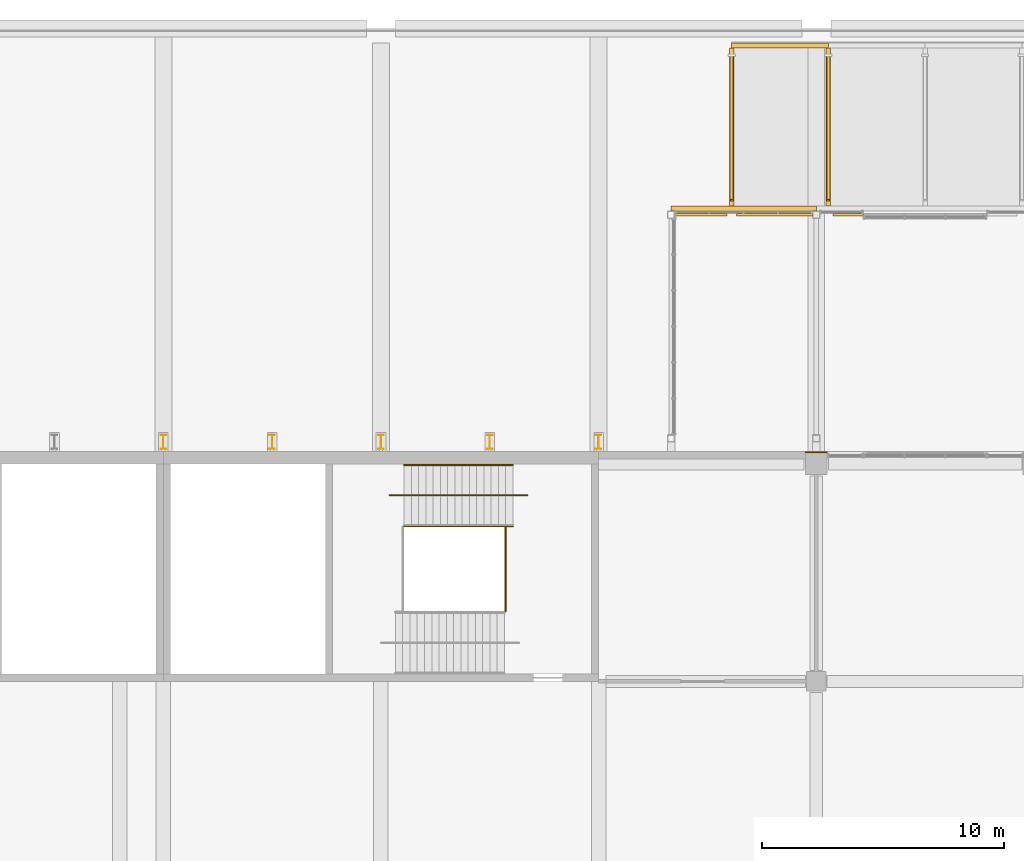
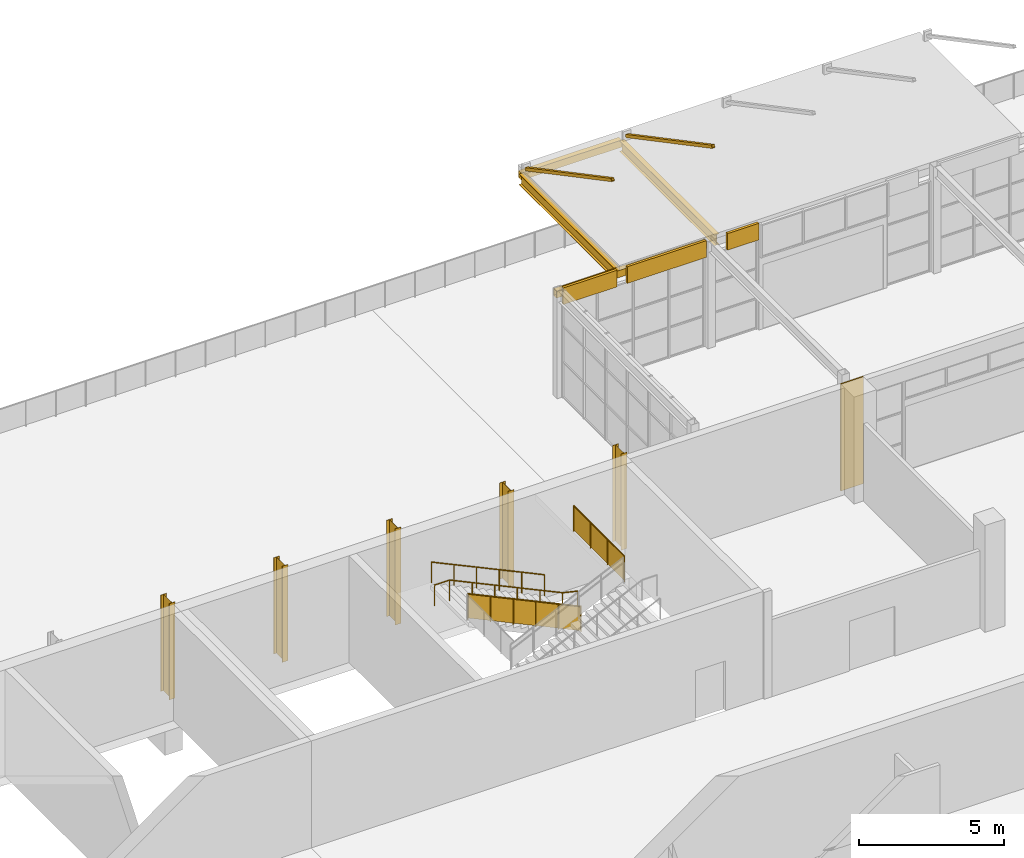
# One storey, part 162 of 168: 11 shading devices, 4 coverings, 4 railings.
"""IFC4 building model written with IfcOpenShell, lengths in metres."""

from ifc_helpers import new_model, si_unit, direction, frame, origin, origin_2d, place, context, subcontext, project, spatial, polyline, hollow_rectangle, circle, i_section, outline, extrude, material, layer, layer_set, material_profile, profile_set, type_object, element, save


model = new_model("IFC4")

# Units and contexts
model_context = context("Model", 3, precision=1e-05, world=origin(), true_north=direction((0.0, 1.0)))
body_context = subcontext(model_context, "Body", "Model", "MODEL_VIEW")
ifc_project = project(units=[si_unit("LENGTHUNIT", "METRE"), si_unit("AREAUNIT", "SQUARE_METRE"), si_unit("VOLUMEUNIT", "CUBIC_METRE"), si_unit("PLANEANGLEUNIT", "RADIAN"), si_unit("MASSUNIT", "GRAM", prefix="KILO")], contexts=[model_context])

# Site, building, storey
site_placement = place(None, origin())
site = spatial("IfcSite", under=ifc_project, at=site_placement, CompositionType="ELEMENT")
building_placement = place(site_placement, origin())
building = spatial("IfcBuilding", under=site, at=building_placement, Name="Silverbay Arena", CompositionType="ELEMENT")
storey_placement = place(building_placement, frame((0.0, 0.0, 7.0)))
storey = spatial("IfcBuildingStorey", under=building, at=storey_placement, Name="L01", CompositionType="ELEMENT", Elevation=7.0)

# Coverings
ifc_material_1 = material(Name="Aluminium composite cladding", Category="aluminium")
ifc_layer_1 = layer(ifc_material_1, 0.10009765625)
ifc_layer_set_1 = layer_set([ifc_layer_1], Name="Aluminium composite cladding")
covering_type_1 = type_object("IfcCoveringType", Name="Canopy band cladding 100", PredefinedType="CLADDING", material=ifc_layer_set_1)
covering_1_placement = place(storey_placement, frame((0.0, 0.0, 3.800048828125)))
element("IfcCovering", 1, at=covering_1_placement, inside=storey, type_object=covering_type_1, Name="Canopy band cladding", PredefinedType="CLADDING", context=body_context, shape_type="SweptSolid", body=[
    extrude(outline(polyline([(120.14990234375, 154.25), (122.300048828125, 154.25), (122.300048828125, 154.35009765625), (120.14990234375, 154.35009765625), (120.14990234375, 154.25)])), origin(), (0.0, 0.0, 1.0), 0.699951171875),
])
covering_2_placement = place(storey_placement, frame((0.0, 0.0, 3.800048828125)))
element("IfcCovering", 2, at=covering_2_placement, inside=storey, type_object=covering_type_1, Name="Canopy band cladding", PredefinedType="CLADDING", context=body_context, shape_type="SweptSolid", body=[
    extrude(outline(polyline([(122.699951171875, 154.25), (125.85009765625, 154.25), (125.85009765625, 154.35009765625), (122.699951171875, 154.35009765625), (122.699951171875, 154.25)])), origin(), (0.0, 0.0, 1.0), 0.699951171875),
])
covering_3_placement = place(storey_placement, frame((0.0, 0.0, 3.800048828125)))
element("IfcCovering", 3, at=covering_3_placement, inside=storey, type_object=covering_type_1, Name="Canopy band cladding", PredefinedType="CLADDING", context=body_context, shape_type="SweptSolid", body=[
    extrude(outline(polyline([(126.699951171875, 154.25), (127.949951171875, 154.25), (127.949951171875, 154.35009765625), (126.699951171875, 154.35009765625), (126.699951171875, 154.25)])), origin(), (0.0, 0.0, 1.0), 0.699951171875),
])

# Shading devices
ifc_material_2 = material(Name="Steel S355", Category="steel")
ifc_material_profile_1 = material_profile(ifc_material_2, i_section(OverallWidth=0.18994140625, OverallDepth=0.453369140625, WebThickness=0.008544921875, FlangeThickness=0.0126953125, at=origin_2d()), Name="UB 457x191x67")
ifc_profile_set_1 = profile_set([ifc_material_profile_1], Name="Steel S355")
shading_device_type_1 = type_object("IfcShadingDeviceType", Name="Canopy beam UB 457x191x67", PredefinedType="USERDEFINED", material=ifc_profile_set_1)
for number, where, z_axis, x_axis, name in (
    (4, (122.5, 154.64990234375, 4.0732421875), (0.0, 1.0, 0.0), (-1.0, 0.0, 0.0), "North entrance hall N1 canopy beam 1"),
    (5, (126.5, 154.64990234375, 4.0732421875), (0.0, 1.0, 0.0), (-1.0, 0.0, 0.0), "North entrance hall N1 canopy beam 2"),
):
    element("IfcShadingDevice", number, at=place(storey_placement, frame(where, z_axis=z_axis, x_axis=x_axis)), inside=storey, type_object=shading_device_type_1, Name=name, ObjectType="CANOPY FRAME", PredefinedType="USERDEFINED", context=body_context, shape_type="SweptSolid", body=[
        extrude(i_section(OverallWidth=0.18994140625, OverallDepth=0.453369140625, WebThickness=0.008544921875, FlangeThickness=0.0126953125, at=origin_2d()), origin(), (0.0, 0.0, 1.0), 6.550048828125),
    ])
ifc_material_3 = material(Name="Steel S355", Category="steel")
ifc_material_profile_2 = material_profile(ifc_material_3, hollow_rectangle(XDim=0.199951171875, YDim=0.300048828125, WallThickness=0.008056640625, at=origin_2d()), Name="RHS 300x200x8")
ifc_profile_set_2 = profile_set([ifc_material_profile_2], Name="Steel S355")
shading_device_type_2 = type_object("IfcShadingDeviceType", Name="Canopy edge beam RHS 300x200x8", PredefinedType="USERDEFINED", material=ifc_profile_set_2)
shading_device_1_placement = place(storey_placement, frame((122.5, 161.300048828125, 4.14990234375), z_axis=(1.0, 0.0, 0.0), x_axis=(0.0, 1.0, 0.0)))
element("IfcShadingDevice", 6, at=shading_device_1_placement, inside=storey, type_object=shading_device_type_2, Name="North entrance hall N1 canopy edge beam 1", ObjectType="CANOPY FRAME", PredefinedType="USERDEFINED", context=body_context, shape_type="SweptSolid", body=[
    extrude(hollow_rectangle(XDim=0.199951171875, YDim=0.300048828125, WallThickness=0.008056640625, at=origin_2d()), origin(), (0.0, 0.0, 1.0), 4.0),
])
ifc_material_4 = material(Name="Steel S355", Category="steel")
ifc_material_profile_3 = material_profile(ifc_material_4, hollow_rectangle(XDim=0.199951171875, YDim=0.300048828125, WallThickness=0.008056640625, at=origin_2d()), Name="RHS 300x200x8")
ifc_profile_set_3 = profile_set([ifc_material_profile_3], Name="Steel S355")
shading_device_type_3 = type_object("IfcShadingDeviceType", Name="Canopy rail RHS 300x200x8", PredefinedType="USERDEFINED", material=ifc_profile_set_3)
shading_device_2_placement = place(storey_placement, frame((120.0, 154.550048828125, 4.14990234375), z_axis=(1.0, 0.0, 0.0), x_axis=(0.0, 1.0, 0.0)))
element("IfcShadingDevice", 7, at=shading_device_2_placement, inside=storey, type_object=shading_device_type_3, Name="North entrance hall N1 canopy rail 1", ObjectType="CANOPY FRAME", PredefinedType="USERDEFINED", context=body_context, shape_type="SweptSolid", body=[
    extrude(hollow_rectangle(XDim=0.199951171875, YDim=0.300048828125, WallThickness=0.008056640625, at=origin_2d()), origin(), (0.0, 0.0, 1.0), 6.0),
])
ifc_material_5 = material(Name="Steel S355", Category="steel")
ifc_material_profile_4 = material_profile(ifc_material_5, hollow_rectangle(XDim=0.1201171875, YDim=0.1201171875, WallThickness=0.00634765625, at=origin_2d()), Name="SHS 120x120x6.3")
ifc_profile_set_4 = profile_set([ifc_material_profile_4], Name="Steel S355")
shading_device_type_4 = type_object("IfcShadingDeviceType", Name="Canopy tie SHS 120x120x6.3", PredefinedType="USERDEFINED", material=ifc_profile_set_4)
for number, where, z_axis, x_axis, name in (
    (8, (122.5, 154.89990234375, 7.85009765625), (0.0, 0.883785270164, -0.467892718731), (-1.0, 0.0, 0.0), "North entrance hall N1 canopy tie 1"),
    (9, (126.5, 154.89990234375, 7.85009765625), (0.0, 0.883785270164, -0.467892718731), (-1.0, 0.0, 0.0), "North entrance hall N1 canopy tie 2"),
):
    element("IfcShadingDevice", number, at=place(storey_placement, frame(where, z_axis=z_axis, x_axis=x_axis)), inside=storey, type_object=shading_device_type_4, Name=name, ObjectType="CANOPY FRAME", PredefinedType="USERDEFINED", context=body_context, shape_type="SweptSolid", body=[
        extrude(hollow_rectangle(XDim=0.1201171875, YDim=0.1201171875, WallThickness=0.00634765625, at=origin_2d()), origin(), (0.0, 0.0, 1.0), 6.732666015625),
    ])

# Covering
ifc_material_6 = material(Name="Aluminium composite cladding", Category="aluminium")
ifc_layer_2 = layer(ifc_material_6, 0.050048828125)
ifc_layer_set_2 = layer_set([ifc_layer_2], Name="Aluminium composite cladding")
covering_type_2 = type_object("IfcCoveringType", Name="Column cladding 50", PredefinedType="CLADDING", material=ifc_layer_set_2)
covering_4_placement = place(storey_placement, origin())
element("IfcCovering", 10, at=covering_4_placement, inside=storey, type_object=covering_type_2, Name="North column cladding L01 2", PredefinedType="CLADDING", context=body_context, shape_type="SweptSolid", body=[
    extrude(outline(polyline([(125.550048828125, 144.449951171875), (126.449951171875, 144.449951171875), (126.449951171875, 144.5), (125.550048828125, 144.5), (125.550048828125, 144.449951171875)])), origin(), (0.0, 0.0, 1.0), 4.5),
])

# Railings
ifc_material_7 = material(Name="Stainless steel", Category="steel")
railing_type_1 = type_object("IfcRailingType", Name="Stair guard 1100", PredefinedType="GUARDRAIL", material=ifc_material_7)
railing_1_placement = place(storey_placement, frame((113.453369140625, 141.425048828125, 0.140625)))
element("IfcRailing", 11, at=railing_1_placement, inside=storey, type_object=railing_type_1, Name="Stair ST-N2 L01 to L02 flight 1 guard left", PredefinedType="GUARDRAIL", context=body_context, shape_type="SweptSolid", body=[
    extrude(circle(Radius=0.02392578125, at=origin_2d()), frame((0.0, 0.0, 1.076171875), z_axis=(-0.905458935959, 0.0, 0.424433876231), x_axis=(0.0, -1.0, 0.0)), (0.0, 0.0, 1.0), 4.969970703125),
    extrude(outline(polyline([(-0.008056640625, 0.046142578125), (0.907958984375, 0.4755859375), (0.907958984375, 1.478515625), (-0.008056640625, 1.04931640625), (-0.008056640625, 0.046142578125)])), frame((0.0, -0.0029296875, 0.0), z_axis=(0.0, 1.0, 0.0), x_axis=(-1.0, 0.0, 0.0)), (0.0, 0.0, 1.0), 0.006103515625),
    extrude(outline(polyline([(-0.008056640625, 0.468017578125), (0.907958984375, 0.8974609375), (0.907958984375, 1.900390625), (-0.008056640625, 1.47119140625), (-0.008056640625, 0.468017578125)])), frame((-0.89990234375, -0.0029296875, 0.0), z_axis=(0.0, 1.0, 0.0), x_axis=(-1.0, 0.0, 0.0)), (0.0, 0.0, 1.0), 0.006103515625),
    extrude(outline(polyline([(-0.008056640625, 0.889892578125), (0.907958984375, 1.3193359375), (0.907958984375, 2.322265625), (-0.008056640625, 1.89306640625), (-0.008056640625, 0.889892578125)])), frame((-1.800048828125, -0.0029296875, 0.0), z_axis=(0.0, 1.0, 0.0), x_axis=(-1.0, 0.0, 0.0)), (0.0, 0.0, 1.0), 0.006103515625),
    extrude(outline(polyline([(-0.008056640625, 1.311767578125), (0.907958984375, 1.7412109375), (0.907958984375, 2.744140625), (-0.008056640625, 2.31494140625), (-0.008056640625, 1.311767578125)])), frame((-2.699951171875, -0.0029296875, 0.0), z_axis=(0.0, 1.0, 0.0), x_axis=(-1.0, 0.0, 0.0)), (0.0, 0.0, 1.0), 0.006103515625),
    extrude(outline(polyline([(-0.008056640625, 1.733642578125), (0.907958984375, 2.1630859375), (0.907958984375, 3.166015625), (-0.008056640625, 2.73681640625), (-0.008056640625, 1.733642578125)])), frame((-3.60009765625, -0.0029296875, 0.0), z_axis=(0.0, 1.0, 0.0), x_axis=(-1.0, 0.0, 0.0)), (0.0, 0.0, 1.0), 0.006103515625),
    extrude(circle(Radius=0.02099609375, at=origin_2d()), origin(), (0.0, 0.0, 1.0), 1.052001953125),
    extrude(circle(Radius=0.02099609375, at=origin_2d()), frame((-0.89990234375, 0.0, 0.421875)), (0.0, 0.0, 1.0), 1.052001953125),
    extrude(circle(Radius=0.02099609375, at=origin_2d()), frame((-1.800048828125, 0.0, 0.84375)), (0.0, 0.0, 1.0), 1.052001953125),
    extrude(circle(Radius=0.02099609375, at=origin_2d()), frame((-2.699951171875, 0.0, 1.265625)), (0.0, 0.0, 1.0), 1.052001953125),
    extrude(circle(Radius=0.02099609375, at=origin_2d()), frame((-3.60009765625, 0.0, 1.6875)), (0.0, 0.0, 1.0), 1.052001953125),
    extrude(circle(Radius=0.02099609375, at=origin_2d()), frame((-4.5, 0.0, 2.109375)), (0.0, 0.0, 1.0), 1.052001953125),
])
railing_2_placement = place(storey_placement, frame((113.14990234375, 137.89990234375, 4.5)))
element("IfcRailing", 12, at=railing_2_placement, inside=storey, type_object=railing_type_1, Name="Stair ST-N2 L01 to L02 landing 2 guard", PredefinedType="GUARDRAIL", context=body_context, shape_type="SweptSolid", body=[
    extrude(circle(Radius=0.02392578125, at=origin_2d()), frame((0.0, 0.0, 1.076171875), z_axis=(0.0, 1.0, 0.0), x_axis=(-1.0, 0.0, 0.0)), (0.0, 0.0, 1.0), 3.5),
    extrude(outline(polyline([(-0.008056640625, 0.050048828125), (1.174560546875, 0.050048828125), (1.174560546875, 1.052978515625), (-0.008056640625, 1.052978515625), (-0.008056640625, 0.050048828125)])), frame((-0.0029296875, 0.0, 0.0), z_axis=(1.0, 0.0, 0.0), x_axis=(0.0, 1.0, 0.0)), (0.0, 0.0, 1.0), 0.006103515625),
    extrude(outline(polyline([(-0.008056640625, 0.050048828125), (1.174560546875, 0.050048828125), (1.174560546875, 1.052978515625), (-0.008056640625, 1.052978515625), (-0.008056640625, 0.050048828125)])), frame((-0.0029296875, 1.166748046875, 0.0), z_axis=(1.0, 0.0, 0.0), x_axis=(0.0, 1.0, 0.0)), (0.0, 0.0, 1.0), 0.006103515625),
    extrude(outline(polyline([(-0.008056640625, 0.050048828125), (1.174560546875, 0.050048828125), (1.174560546875, 1.052978515625), (-0.008056640625, 1.052978515625), (-0.008056640625, 0.050048828125)])), frame((-0.0029296875, 2.333251953125, 0.0), z_axis=(1.0, 0.0, 0.0), x_axis=(0.0, 1.0, 0.0)), (0.0, 0.0, 1.0), 0.006103515625),
    extrude(circle(Radius=0.02099609375, at=origin_2d()), origin(), (0.0, 0.0, 1.0), 1.052001953125),
    extrude(circle(Radius=0.02099609375, at=origin_2d()), frame((0.0, 1.166748046875, 0.0)), (0.0, 0.0, 1.0), 1.052001953125),
    extrude(circle(Radius=0.02099609375, at=origin_2d()), frame((0.0, 2.333251953125, 0.0)), (0.0, 0.0, 1.0), 1.052001953125),
    extrude(circle(Radius=0.02099609375, at=origin_2d()), frame((0.0, 3.5, 0.0)), (0.0, 0.0, 1.0), 1.052001953125),
])
ifc_material_8 = material(Name="Stainless steel", Category="steel")
railing_type_2 = type_object("IfcRailingType", Name="Stair handrail 900", PredefinedType="HANDRAIL", material=ifc_material_8)
railing_3_placement = place(storey_placement, frame((113.453369140625, 143.949951171875, 0.140625)))
element("IfcRailing", 13, at=railing_3_placement, inside=storey, type_object=railing_type_2, Name="Stair ST-N2 L01 to L02 flight 1 handrail right", PredefinedType="HANDRAIL", context=body_context, shape_type="SweptSolid", body=[
    extrude(circle(Radius=0.02392578125, at=origin_2d()), frame((0.0, 0.0, 0.8759765625), z_axis=(-0.905458935959, 0.0, 0.424433876231), x_axis=(0.0, -1.0, 0.0)), (0.0, 0.0, 1.0), 4.969970703125),
    extrude(circle(Radius=0.02099609375, at=origin_2d()), origin(), (0.0, 0.0, 1.0), 0.851806640625),
    extrude(circle(Radius=0.02099609375, at=origin_2d()), frame((-0.89990234375, 0.0, 0.421875)), (0.0, 0.0, 1.0), 0.851806640625),
    extrude(circle(Radius=0.02099609375, at=origin_2d()), frame((-1.800048828125, 0.0, 0.84375)), (0.0, 0.0, 1.0), 0.851806640625),
    extrude(circle(Radius=0.02099609375, at=origin_2d()), frame((-2.699951171875, 0.0, 1.265625)), (0.0, 0.0, 1.0), 0.851806640625),
    extrude(circle(Radius=0.02099609375, at=origin_2d()), frame((-3.60009765625, 0.0, 1.6875)), (0.0, 0.0, 1.0), 0.851806640625),
    extrude(circle(Radius=0.02099609375, at=origin_2d()), frame((-4.5, 0.0, 2.109375)), (0.0, 0.0, 1.0), 0.851806640625),
])
railing_4_placement = place(storey_placement, frame((114.053466796875, 142.699951171875, 0.0)))
element("IfcRailing", 14, at=railing_4_placement, inside=storey, type_object=railing_type_2, Name="Stair ST-N2 L01 to L02 flight 1 central handrail", PredefinedType="HANDRAIL", context=body_context, shape_type="SweptSolid", body=[
    extrude(circle(Radius=0.02392578125, at=origin_2d()), frame((0.0, 0.0, 0.8759765625), z_axis=(-0.973624560196, 0.0, 0.228156121511), x_axis=(0.0, -1.0, 0.0)), (0.0, 0.0, 1.0), 0.616455078125),
    extrude(circle(Radius=0.02392578125, at=origin_2d()), frame((-0.60009765625, 0.0, 1.0166015625), z_axis=(-0.905458935959, 0.0, 0.424433876231), x_axis=(0.0, -1.0, 0.0)), (0.0, 0.0, 1.0), 4.969970703125),
    extrude(circle(Radius=0.02392578125, at=origin_2d()), frame((-5.10009765625, 0.0, 3.1259765625), z_axis=(-1.0, 0.0, 0.0), x_axis=(0.0, -1.0, 0.0)), (0.0, 0.0, 1.0), 0.599853515625),
    extrude(circle(Radius=0.02099609375, at=origin_2d()), origin(), (0.0, 0.0, 1.0), 0.851806640625),
    extrude(circle(Radius=0.02099609375, at=origin_2d()), frame((-0.60009765625, 0.0, 0.140625)), (0.0, 0.0, 1.0), 0.851806640625),
    extrude(circle(Radius=0.02099609375, at=origin_2d()), frame((-1.5, 0.0, 0.5625)), (0.0, 0.0, 1.0), 0.851806640625),
    extrude(circle(Radius=0.02099609375, at=origin_2d()), frame((-2.400146484375, 0.0, 0.984375)), (0.0, 0.0, 1.0), 0.851806640625),
    extrude(circle(Radius=0.02099609375, at=origin_2d()), frame((-3.300048828125, 0.0, 1.40625)), (0.0, 0.0, 1.0), 0.851806640625),
    extrude(circle(Radius=0.02099609375, at=origin_2d()), frame((-4.2001953125, 0.0, 1.828125)), (0.0, 0.0, 1.0), 0.851806640625),
    extrude(circle(Radius=0.02099609375, at=origin_2d()), frame((-5.10009765625, 0.0, 2.25)), (0.0, 0.0, 1.0), 0.851806640625),
    extrude(circle(Radius=0.02099609375, at=origin_2d()), frame((-5.699951171875, 0.0, 2.25)), (0.0, 0.0, 1.0), 0.851806640625),
])

# Shading devices
ifc_material_9 = material(Name="Steel S355", Category="steel")
ifc_material_profile_5 = material_profile(ifc_material_9, i_section(OverallWidth=0.2275390625, OverallDepth=0.6025390625, WebThickness=0.010498046875, FlangeThickness=0.014892578125, at=origin_2d()), Name="UB 610x229x101")
ifc_profile_set_5 = profile_set([ifc_material_profile_5], Name="Steel S355")
shading_device_type_5 = type_object("IfcShadingDeviceType", Name="Steel fin UB 610x229x101", PredefinedType="USERDEFINED", material=ifc_profile_set_5)
for number, where, z_axis, x_axis, name in (
    (15, (99.0, 144.9013671875, 0.449951171875), (0.0, 0.0, 1.0), (1.0, 0.0, 0.0), "Steel fin N L01 10"),
    (16, (103.5, 144.9013671875, 0.449951171875), (0.0, 0.0, 1.0), (1.0, 0.0, 0.0), "Steel fin N L01 11"),
    (17, (108.0, 144.9013671875, 0.449951171875), (0.0, 0.0, 1.0), (1.0, 0.0, 0.0), "Steel fin N L01 12"),
    (18, (112.5, 144.9013671875, 0.449951171875), (0.0, 0.0, 1.0), (1.0, 0.0, 0.0), "Steel fin N L01 13"),
    (19, (117.0, 144.9013671875, 0.449951171875), (0.0, 0.0, 1.0), (1.0, 0.0, 0.0), "Steel fin N L01 14"),
):
    element("IfcShadingDevice", number, at=place(storey_placement, frame(where, z_axis=z_axis, x_axis=x_axis)), inside=storey, type_object=shading_device_type_5, Name=name, ObjectType="FIN", PredefinedType="USERDEFINED", context=body_context, shape_type="SweptSolid", body=[
        extrude(i_section(OverallWidth=0.2275390625, OverallDepth=0.6025390625, WebThickness=0.010498046875, FlangeThickness=0.014892578125, at=origin_2d()), origin(), (0.0, 0.0, 1.0), 4.050048828125),
    ])

save(model, "model.ifc")
